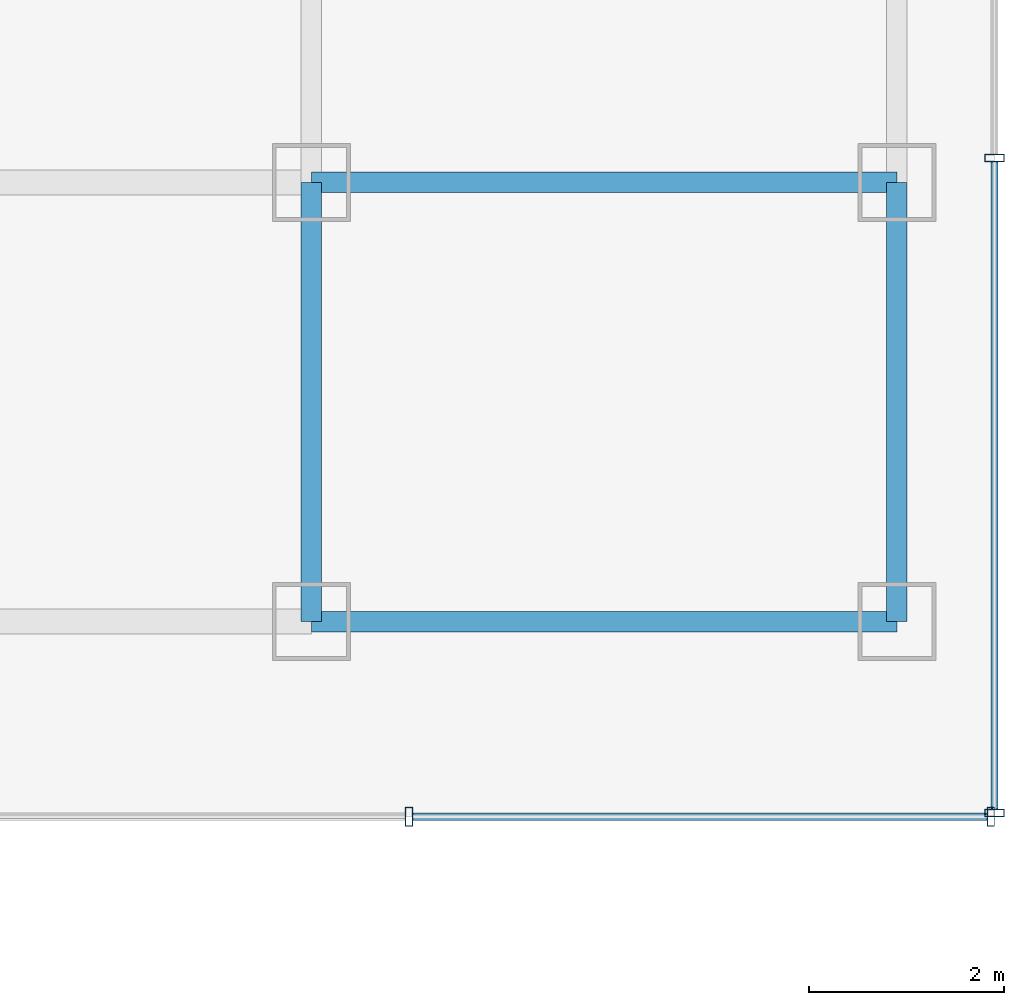
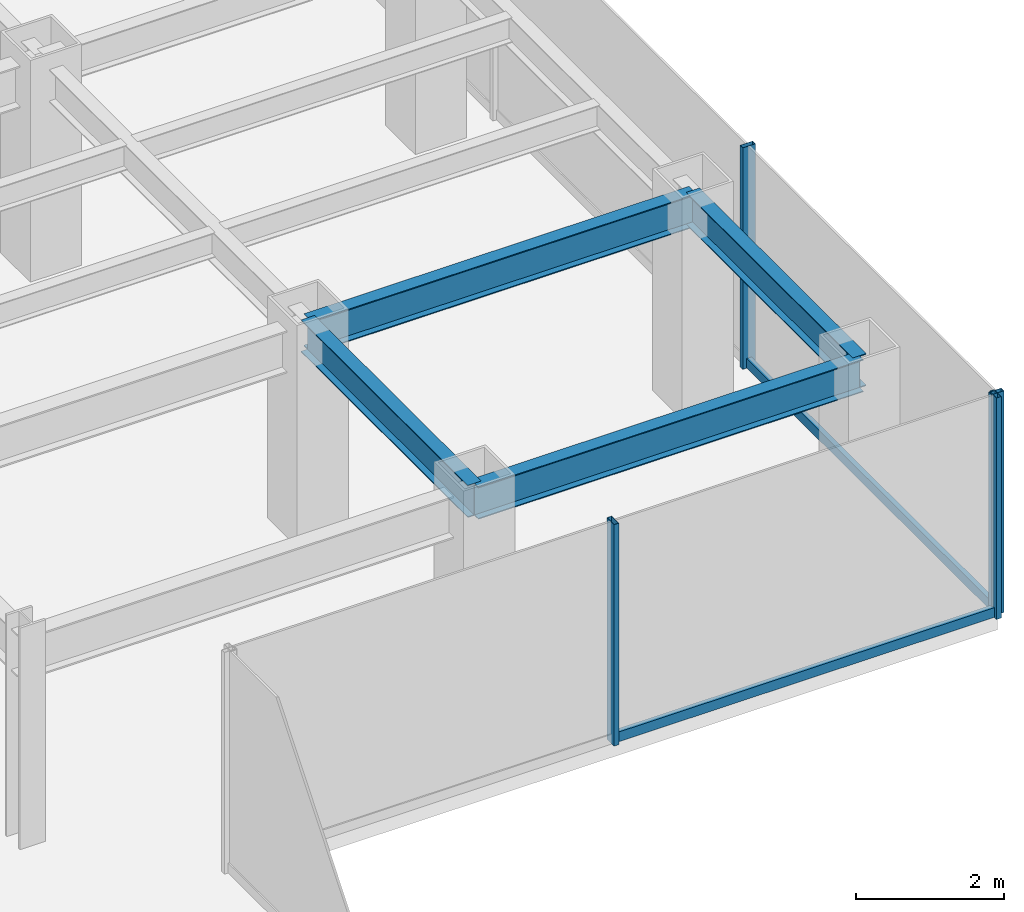
# One storey, part 10 of 26: 6 members, 4 beams, 2 elements without a shape of their own.
"""IFC4 building model written with IfcOpenShell, lengths in metres."""

from ifc_helpers import new_model, si_unit, derived_unit, direction, frame, origin, origin_2d, place, context, subcontext, project, spatial, hollow_rectangle, i_section, extrude, source, transform, mapped, material, material_profile, profile_set, type_object, element, aggregate, save


model = new_model("IFC4")

# Units and contexts
model_context = context("Model", 3, precision=1e-05, world=origin(), true_north=direction((0.0, 1.0)))
body_context = subcontext(model_context, "Body", "Model", "MODEL_VIEW")
ifc_project = project(units=[si_unit("LENGTHUNIT", "METRE"), si_unit("AREAUNIT", "SQUARE_METRE"), si_unit("VOLUMEUNIT", "CUBIC_METRE"), si_unit("PLANEANGLEUNIT", "RADIAN"), si_unit("MASSUNIT", "GRAM", prefix="KILO"), derived_unit("THERMALTRANSMITTANCEUNIT", [(si_unit("POWERUNIT", "WATT"), 1), (si_unit("LENGTHUNIT", "METRE"), -2), (si_unit("THERMODYNAMICTEMPERATUREUNIT", "KELVIN"), -1)])], contexts=[model_context])

# Site, building, storey
site_placement = place(None, origin())
site = spatial("IfcSite", under=ifc_project, at=site_placement, CompositionType="ELEMENT")
building_placement = place(site_placement, origin())
building = spatial("IfcBuilding", under=site, at=building_placement, Name="Skarnbrae Concourse Arena and Tower", CompositionType="ELEMENT")
storey_placement = place(building_placement, frame((0.0, 0.0, 114.199951171875)))
storey = spatial("IfcBuildingStorey", under=building, at=storey_placement, Name="L28", CompositionType="ELEMENT", Elevation=114.199951171875)

# Beams
ifc_material_1 = material(Name="Steel CSA G40.21 350W", Category="steel")
ifc_material_profile_1 = material_profile(ifc_material_1, i_section(OverallWidth=0.208984375, OverallDepth=0.532958984375, WebThickness=0.01025390625, FlangeThickness=0.015625, at=origin_2d()), Name="W530X92")
ifc_profile_set_1 = profile_set([ifc_material_profile_1], Name="Steel CSA G40.21 350W")
beam_type = type_object("IfcBeamType", Name="BM-SPAN-W530X92", PredefinedType="SPANDREL", material=ifc_profile_set_1)
shared_shape_1 = source(origin(), body_context, "Body", "SweptSolid", [
    extrude(i_section(OverallWidth=0.208984375, OverallDepth=0.532958984375, WebThickness=0.01025390625, FlangeThickness=0.015625, at=origin_2d()), origin(), (0.0, 0.0, 1.0), 6.0),
])
for number, where, z_axis, x_axis, name in (
    (1, (49.0, 9.5, 3.133544921875), (1.0, 0.0, 0.0), (0.0, 1.0, 0.0), "L28 Perimeter spandrel Y9.5-3"),
    (2, (49.0, 14.0, 3.133544921875), (1.0, 0.0, 0.0), (0.0, 1.0, 0.0), "L28 Perimeter spandrel Y14.0-8"),
):
    element("IfcBeam", number, at=place(storey_placement, frame(where, z_axis=z_axis, x_axis=x_axis)), inside=storey, type_object=beam_type, Name=name, PredefinedType="SPANDREL", context=body_context, shape_type="MappedRepresentation", body=[
        mapped(shared_shape_1, transform((0.0, 0.0, 0.0))),
    ])
shared_shape_2 = source(origin(), body_context, "Body", "SweptSolid", [
    extrude(i_section(OverallWidth=0.208984375, OverallDepth=0.532958984375, WebThickness=0.01025390625, FlangeThickness=0.015625, at=origin_2d()), origin(), (0.0, 0.0, 1.0), 4.5),
])
for number, where, z_axis, x_axis, name in (
    (3, (49.0, 9.5, 3.133544921875), (0.0, 1.0, 0.0), (-1.0, 0.0, 0.0), "L28 Perimeter spandrel X49.0-1"),
    (4, (55.0, 9.5, 3.133544921875), (0.0, 1.0, 0.0), (-1.0, 0.0, 0.0), "L28 Perimeter spandrel X55.0-1"),
):
    element("IfcBeam", number, at=place(storey_placement, frame(where, z_axis=z_axis, x_axis=x_axis)), inside=storey, type_object=beam_type, Name=name, PredefinedType="SPANDREL", context=body_context, shape_type="MappedRepresentation", body=[
        mapped(shared_shape_2, transform((0.0, 0.0, 0.0))),
    ])

# Curtain wall, members
ifc_material_2 = material(Name="Bronze anodised aluminium 6063-T6", Category="aluminium")
curtain_wall_type = type_object("IfcCurtainWallType", Name="CW-SYS-04-MIDZONE", PredefinedType="USERDEFINED", material=ifc_material_2)
curtain_wall_1_placement = place(storey_placement, origin())
curtain_wall_1 = element("IfcCurtainWall", 5, at=curtain_wall_1_placement, inside=storey, type_object=curtain_wall_type, Name="L28 Unitised curtain wall CW-L28-E03", ObjectType="UNITISED CURTAIN WALL", PredefinedType="USERDEFINED")
ifc_material_profile_2 = material_profile(ifc_material_2, hollow_rectangle(XDim=0.074951171875, YDim=0.195068359375, WallThickness=0.00439453125, at=origin_2d()), Name="ALU-MULL-75X195")
ifc_profile_set_2 = profile_set([ifc_material_profile_2], Name="Bronze anodised aluminium 6063-T6")
member_type_1 = type_object("IfcMemberType", Name="CWM-CW-04", PredefinedType="MULLION", material=ifc_profile_set_2)
shared_shape_3 = source(origin(), body_context, "Body", "SweptSolid", [
    extrude(hollow_rectangle(XDim=0.074951171875, YDim=0.195068359375, WallThickness=0.00439453125, at=origin_2d()), origin(), (0.0, 0.0, 1.0), 3.650146484375),
])
member_1_placement = place(storey_placement, frame((50.0, 7.5, 0.0), z_axis=(0.0, 0.0, 1.0), x_axis=(1.0, 0.0, 0.0)))
member_1 = element("IfcMember", 6, at=member_1_placement, type_object=member_type_1, Name="CW-L28-E03 Mullion 2", PredefinedType="MULLION", context=body_context, shape_type="MappedRepresentation", body=[
    mapped(shared_shape_3, transform((0.0, 0.0, 0.0))),
])
member_2_placement = place(storey_placement, frame((55.96240234375, 7.5, 0.0), z_axis=(0.0, 0.0, 1.0), x_axis=(1.0, 0.0, 0.0)))
member_2 = element("IfcMember", 7, at=member_2_placement, type_object=member_type_1, Name="CW-L28-E03 Mullion 3", PredefinedType="MULLION", context=body_context, shape_type="MappedRepresentation", body=[
    mapped(shared_shape_3, transform((0.0, 0.0, 0.0))),
])

curtain_wall_2_placement = place(storey_placement, origin())
curtain_wall_2 = element("IfcCurtainWall", 8, at=curtain_wall_2_placement, inside=storey, type_object=curtain_wall_type, Name="L28 Unitised curtain wall CW-L28-E04", ObjectType="UNITISED CURTAIN WALL", PredefinedType="USERDEFINED")
member_3_placement = place(storey_placement, frame((56.0, 7.53759765625, 0.0), z_axis=(0.0, 0.0, 1.0), x_axis=(0.0, 1.0, 0.0)))
member_3 = element("IfcMember", 9, at=member_3_placement, type_object=member_type_1, Name="CW-L28-E04 Mullion 1", PredefinedType="MULLION", context=body_context, shape_type="MappedRepresentation", body=[
    mapped(shared_shape_3, transform((0.0, 0.0, 0.0))),
])
member_4_placement = place(storey_placement, frame((56.0, 14.25, 0.0), z_axis=(0.0, 0.0, 1.0), x_axis=(0.0, 1.0, 0.0)))
member_4 = element("IfcMember", 10, at=member_4_placement, type_object=member_type_1, Name="CW-L28-E04 Mullion 2", PredefinedType="MULLION", context=body_context, shape_type="MappedRepresentation", body=[
    mapped(shared_shape_3, transform((0.0, 0.0, 0.0))),
])

# Member
ifc_material_profile_3 = material_profile(ifc_material_2, hollow_rectangle(XDim=0.074951171875, YDim=0.159912109375, WallThickness=0.00439453125, at=origin_2d()), Name="ALU-TRAN-75X160")
ifc_profile_set_3 = profile_set([ifc_material_profile_3], Name="Bronze anodised aluminium 6063-T6")
member_type_2 = type_object("IfcMemberType", Name="CWT-CW-04", PredefinedType="USERDEFINED", material=ifc_profile_set_3)
shared_shape_4 = source(origin(), body_context, "Body", "SweptSolid", [
    extrude(hollow_rectangle(XDim=0.074951171875, YDim=0.159912109375, WallThickness=0.00439453125, at=origin_2d()), origin(), (0.0, 0.0, 1.0), 5.887451171875),
])
member_5_placement = place(storey_placement, frame((50.03759765625, 7.5, 0.080078125), z_axis=(1.0, 0.0, 0.0), x_axis=(0.0, 1.0, 0.0)))
member_5 = element("IfcMember", 11, at=member_5_placement, type_object=member_type_2, Name="CW-L28-E03 Transom 2", ObjectType="TRANSOM", PredefinedType="USERDEFINED", context=body_context, shape_type="MappedRepresentation", body=[
    mapped(shared_shape_4, transform((0.0, 0.0, 0.0))),
])

aggregate(curtain_wall_1, [member_1, member_2, member_5])

shared_shape_5 = source(origin(), body_context, "Body", "SweptSolid", [
    extrude(hollow_rectangle(XDim=0.074951171875, YDim=0.159912109375, WallThickness=0.00439453125, at=origin_2d()), origin(), (0.0, 0.0, 1.0), 6.637451171875),
])
member_6_placement = place(storey_placement, frame((56.0, 7.574951171875, 0.080078125), z_axis=(0.0, 1.0, 0.0), x_axis=(-1.0, 0.0, 0.0)))
member_6 = element("IfcMember", 12, at=member_6_placement, type_object=member_type_2, Name="CW-L28-E04 Transom 1", ObjectType="TRANSOM", PredefinedType="USERDEFINED", context=body_context, shape_type="MappedRepresentation", body=[
    mapped(shared_shape_5, transform((0.0, 0.0, 0.0))),
])

aggregate(curtain_wall_2, [member_3, member_4, member_6])

save(model, "model.ifc")
